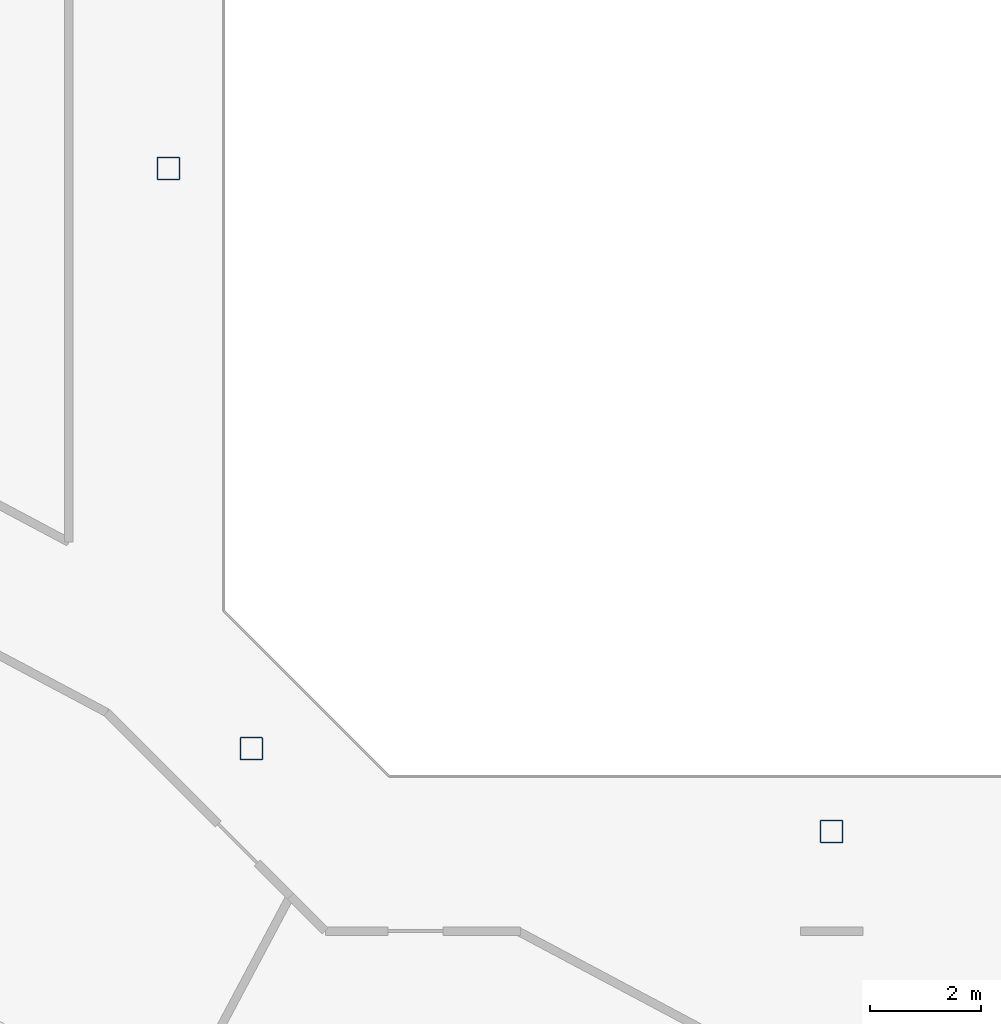
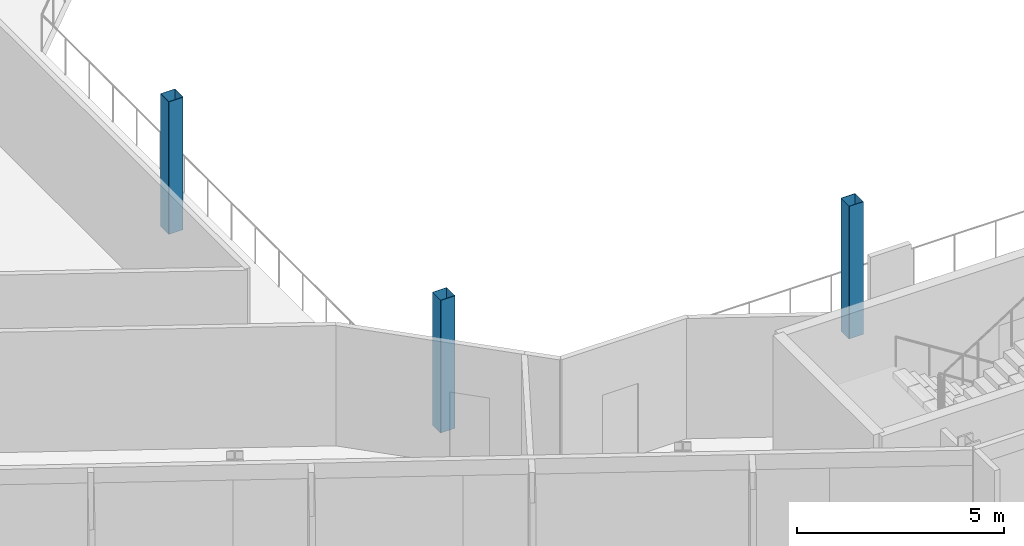
# One storey, part 2 of 26: 3 columns.
"""IFC4 building model written with IfcOpenShell, lengths in metres."""

from ifc_helpers import new_model, si_unit, direction, frame, origin, origin_2d, place, context, subcontext, project, spatial, hollow_rectangle, extrude, material, material_profile, profile_set, type_object, element, save


model = new_model("IFC4")

# Units and contexts
model_context = context("Model", 3, precision=1e-05, world=origin(), true_north=direction((0.0, 1.0)))
body_context = subcontext(model_context, "Body", "Model", "MODEL_VIEW")
ifc_project = project(units=[si_unit("LENGTHUNIT", "METRE"), si_unit("AREAUNIT", "SQUARE_METRE"), si_unit("VOLUMEUNIT", "CUBIC_METRE"), si_unit("PLANEANGLEUNIT", "RADIAN"), si_unit("MASSUNIT", "GRAM", prefix="KILO")], contexts=[model_context])

# Site, building, storey
site_placement = place(None, origin())
site = spatial("IfcSite", under=ifc_project, at=site_placement, CompositionType="ELEMENT")
building_placement = place(site_placement, origin())
building = spatial("IfcBuilding", under=site, at=building_placement, Name="Cormorant Relay Tower", CompositionType="ELEMENT")
storey_placement = place(building_placement, frame((0.0, 0.0, 293.10009765625)))
storey = spatial("IfcBuildingStorey", under=building, at=storey_placement, Name="L66", CompositionType="ELEMENT", Elevation=293.10009765625)

# Columns
ifc_material = material(Name="Steel ASTM A500 Grade C (Fy 345 MPa)", Category="steel")
ifc_material_profile = material_profile(ifc_material, hollow_rectangle(XDim=0.406494140625, YDim=0.406494140625, WallThickness=0.0087890625, InnerFilletRadius=0.00439453125, OuterFilletRadius=0.01318359375, at=origin_2d()), Name="HSS406x406x9")
ifc_profile_set = profile_set([ifc_material_profile], Name="Steel ASTM A500 Grade C (Fy 345 MPa)")
column_type = type_object("IfcColumnType", Name="Column HSS406x406x9", PredefinedType="COLUMN", material=ifc_profile_set)
for number, where, z_axis, x_axis, name in (
    (1, (0.0, -12.0, 0.0), (0.0, 0.0, 1.0), (1.0, 0.0, 0.0), "Column L66-007"),
    (2, (-10.5, -10.5, 0.0), (0.0, 0.0, 1.0), (1.0, 0.0, 0.0), "Column L66-009"),
    (3, (-12.0, 0.0, 0.0), (0.0, 0.0, 1.0), (1.0, 0.0, 0.0), "Column L66-015"),
):
    element("IfcColumn", number, at=place(storey_placement, frame(where, z_axis=z_axis, x_axis=x_axis)), inside=storey, type_object=column_type, Name=name, PredefinedType="COLUMN", context=body_context, shape_type="SweptSolid", body=[
        extrude(hollow_rectangle(XDim=0.406494140625, YDim=0.406494140625, WallThickness=0.0087890625, InnerFilletRadius=0.00439453125, OuterFilletRadius=0.01318359375, at=origin_2d()), origin(), (0.0, 0.0, 1.0), 3.89990234375),
    ])

save(model, "model.ifc")
